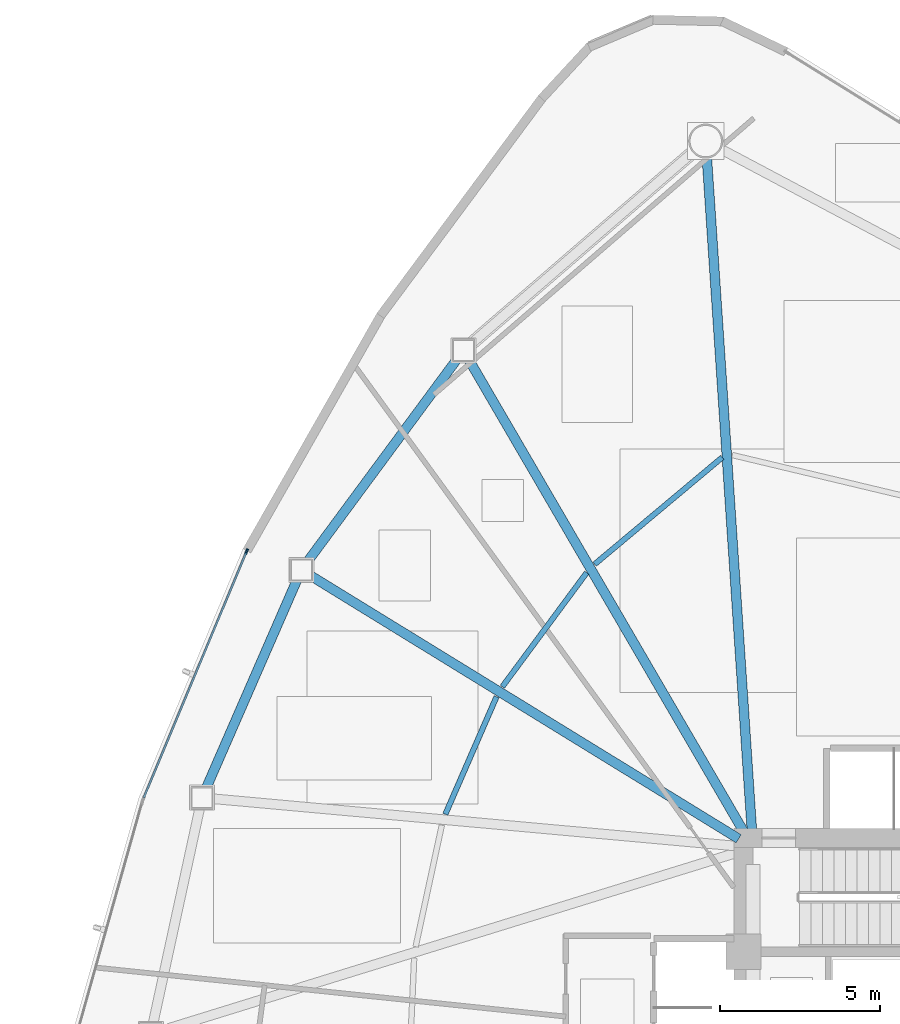
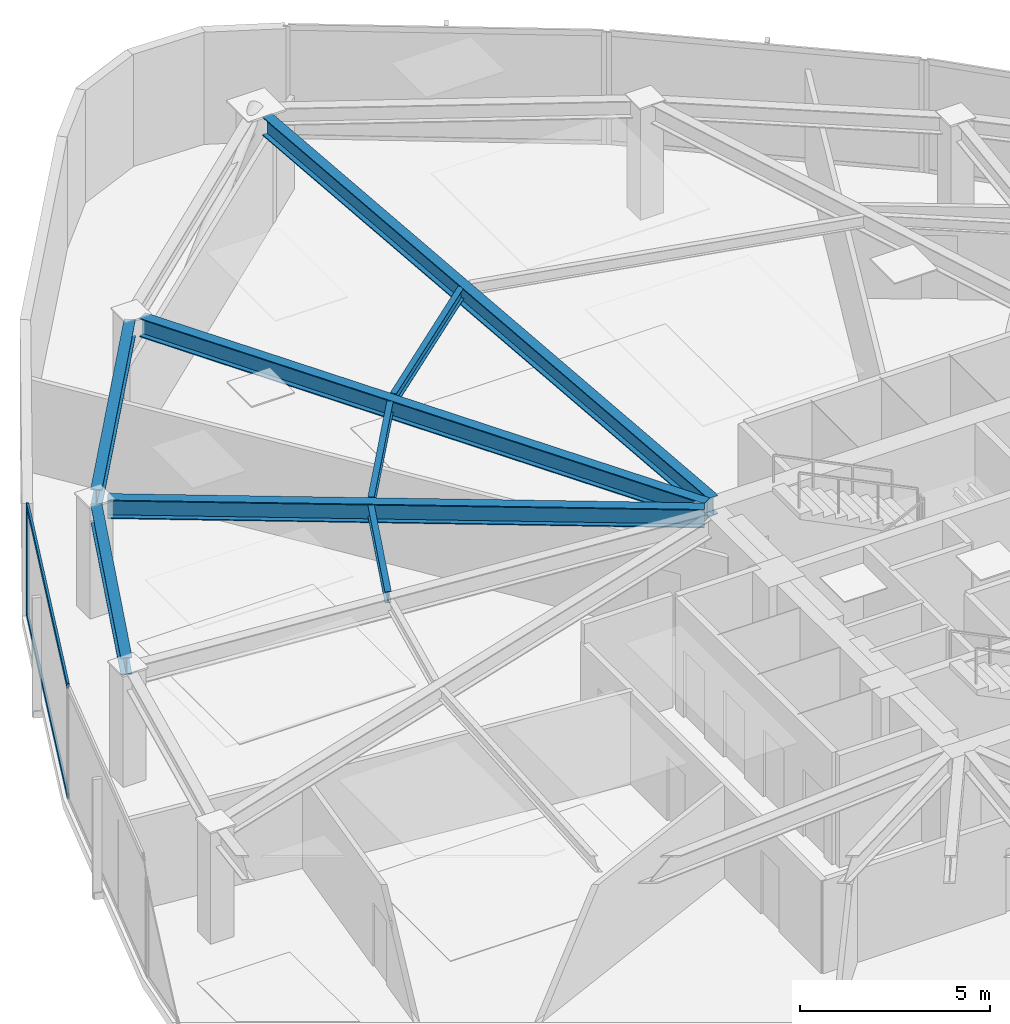
# One storey, part 7 of 17: 8 beams, 3 members, 1 element without a shape of its own.
"""IFC4 building model written with IfcOpenShell, lengths in metres."""

from ifc_helpers import new_model, si_unit, direction, frame, origin, origin_2d, place, context, subcontext, project, spatial, hollow_rectangle, i_section, extrude, source, transform, mapped, material, layer, layer_set, material_profile, profile_set, type_object, type_shapes, element, aggregate, save


model = new_model("IFC4")

# Units and contexts
model_context = context("Model", 3, precision=1e-05, world=origin(), true_north=direction((0.0, 1.0)))
body_context = subcontext(model_context, "Body", "Model", "MODEL_VIEW")
ifc_project = project(units=[si_unit("LENGTHUNIT", "METRE"), si_unit("AREAUNIT", "SQUARE_METRE"), si_unit("VOLUMEUNIT", "CUBIC_METRE"), si_unit("PLANEANGLEUNIT", "RADIAN"), si_unit("MASSUNIT", "GRAM", prefix="KILO")], contexts=[model_context])

# Site, building, storey
site_placement = place(None, origin())
site = spatial("IfcSite", under=ifc_project, at=site_placement, CompositionType="ELEMENT")
building_placement = place(site_placement, origin())
building = spatial("IfcBuilding", under=site, at=building_placement, Name="Tavelor Broadcast Tower", CompositionType="ELEMENT")
storey_placement = place(building_placement, frame((0.0, 0.0, 70.5)))
storey = spatial("IfcBuildingStorey", under=building, at=storey_placement, Name="L16", CompositionType="ELEMENT", Elevation=70.5)

# Beams
ifc_material_1 = material(Name="Steel S355", Category="steel")
ifc_material_profile_1 = material_profile(ifc_material_1, i_section(OverallWidth=0.169921875, OverallDepth=0.360107421875, WebThickness=0.008056640625, FlangeThickness=0.0126953125, at=origin_2d()), Name="IPE 360")
ifc_profile_set_1 = profile_set([ifc_material_profile_1], Name="Steel S355")
beam_type_1 = type_object("IfcBeamType", Name="Composite Floor Joist T2 IPE 360", PredefinedType="JOIST", material=ifc_profile_set_1)
beam_1_placement = place(storey_placement, frame((42.437744140625, 63.38671875, 3.419921875), z_axis=(-0.766764124222, -0.641928950746, 0.0), x_axis=(0.641928950746, -0.766764124222, 0.0)))
element("IfcBeam", 1, at=beam_1_placement, inside=storey, type_object=beam_type_1, Name="L16 Secondary Composite Floor Joist 01", PredefinedType="JOIST", context=body_context, shape_type="SweptSolid", body=[
    extrude(i_section(OverallWidth=0.169921875, OverallDepth=0.360107421875, WebThickness=0.008056640625, FlangeThickness=0.0126953125, at=origin_2d()), origin(), (0.0, 0.0, 1.0), 5.1982421875),
])
beam_2_placement = place(storey_placement, frame((38.20556640625, 59.7880859375, 3.419921875), z_axis=(-0.594699209794, -0.803948288057, 0.0), x_axis=(0.803948288057, -0.594699209794, 0.0)))
element("IfcBeam", 2, at=beam_2_placement, inside=storey, type_object=beam_type_1, Name="L16 Secondary Composite Floor Joist 02", PredefinedType="JOIST", context=body_context, shape_type="SweptSolid", body=[
    extrude(i_section(OverallWidth=0.169921875, OverallDepth=0.360107421875, WebThickness=0.008056640625, FlangeThickness=0.0126953125, at=origin_2d()), origin(), (0.0, 0.0, 1.0), 4.432373046875),
])
beam_3_placement = place(storey_placement, frame((35.3896484375, 55.9130859375, 3.419921875), z_axis=(-0.399446150725, -0.916756659464, 0.0), x_axis=(0.916756659464, -0.399446150725, 0.0)))
element("IfcBeam", 3, at=beam_3_placement, inside=storey, type_object=beam_type_1, Name="L16 Secondary Composite Floor Joist 03", PredefinedType="JOIST", context=body_context, shape_type="SweptSolid", body=[
    extrude(i_section(OverallWidth=0.169921875, OverallDepth=0.360107421875, WebThickness=0.008056640625, FlangeThickness=0.0126953125, at=origin_2d()), origin(), (0.0, 0.0, 1.0), 4.00390625),
])
ifc_material_profile_2 = material_profile(ifc_material_1, i_section(OverallWidth=0.300048828125, OverallDepth=0.550048828125, WebThickness=0.014892578125, FlangeThickness=0.029052734375, at=origin_2d()), Name="HEB 550")
ifc_profile_set_2 = profile_set([ifc_material_profile_2], Name="Steel S355")
beam_type_2 = type_object("IfcBeamType", Name="Perimeter Spandrel Beam T2 HEB 550", PredefinedType="SPANDREL", material=ifc_profile_set_2)
beam_4_placement = place(storey_placement, frame((34.156494140625, 66.45751953125, 3.324951171875), z_axis=(-0.59411824878, -0.804377713805, 0.0), x_axis=(0.804377713805, -0.59411824878, 0.0)))
element("IfcBeam", 4, at=beam_4_placement, inside=storey, type_object=beam_type_2, Name="L16 Framed-Tube Ring Spandrel 02", PredefinedType="SPANDREL", context=body_context, shape_type="SweptSolid", body=[
    extrude(i_section(OverallWidth=0.300048828125, OverallDepth=0.550048828125, WebThickness=0.014892578125, FlangeThickness=0.029052734375, at=origin_2d()), origin(), (0.0, 0.0, 1.0), 7.8515625),
])
beam_5_placement = place(storey_placement, frame((29.157958984375, 59.5634765625, 3.324951171875), z_axis=(-0.399859236649, -0.916576560287, 0.0), x_axis=(0.916576560287, -0.399859236649, 0.0)))
element("IfcBeam", 5, at=beam_5_placement, inside=storey, type_object=beam_type_2, Name="L16 Framed-Tube Ring Spandrel 03", PredefinedType="SPANDREL", context=body_context, shape_type="SweptSolid", body=[
    extrude(i_section(OverallWidth=0.300048828125, OverallDepth=0.550048828125, WebThickness=0.014892578125, FlangeThickness=0.029052734375, at=origin_2d()), origin(), (0.0, 0.0, 1.0), 7.088623046875),
])
ifc_material_profile_3 = material_profile(ifc_material_1, i_section(OverallWidth=0.300048828125, OverallDepth=0.60009765625, WebThickness=0.015380859375, FlangeThickness=0.030029296875, at=origin_2d()), Name="HEB 600")
ifc_profile_set_3 = profile_set([ifc_material_profile_3], Name="Steel S355")
beam_type_3 = type_object("IfcBeamType", Name="Radial Floor Girder T2 HEB 600", PredefinedType="BEAM", material=ifc_profile_set_3)
beam_6_placement = place(storey_placement, frame((43.36474609375, 51.726806640625, 3.300048828125), z_axis=(-0.066782727419, 0.997767541724, 0.0), x_axis=(-0.997767541724, -0.066782727419, 0.0)))
element("IfcBeam", 6, at=beam_6_placement, inside=storey, type_object=beam_type_3, Name="L16 Radial Primary Floor Girder 01", PredefinedType="BEAM", context=body_context, shape_type="SweptSolid", body=[
    extrude(i_section(OverallWidth=0.300048828125, OverallDepth=0.60009765625, WebThickness=0.015380859375, FlangeThickness=0.030029296875, at=origin_2d()), origin(), (0.0, 0.0, 1.0), 21.075439453125),
])
beam_7_placement = place(storey_placement, frame((43.13427734375, 51.65625, 3.300048828125), z_axis=(-0.503292320279, 0.864116219237, 0.0), x_axis=(-0.864116219237, -0.503292320279, 0.0)))
element("IfcBeam", 7, at=beam_7_placement, inside=storey, type_object=beam_type_3, Name="L16 Radial Primary Floor Girder 02", PredefinedType="BEAM", context=body_context, shape_type="SweptSolid", body=[
    extrude(i_section(OverallWidth=0.300048828125, OverallDepth=0.60009765625, WebThickness=0.015380859375, FlangeThickness=0.030029296875, at=origin_2d()), origin(), (0.0, 0.0, 1.0), 17.105712890625),
])
beam_8_placement = place(storey_placement, frame((42.9501953125, 51.4765625, 3.300048828125), z_axis=(-0.851937509834, 0.523643465859, 0.0), x_axis=(-0.523643465859, -0.851937509834, 0.0)))
element("IfcBeam", 8, at=beam_8_placement, inside=storey, type_object=beam_type_3, Name="L16 Radial Primary Floor Girder 03", PredefinedType="BEAM", context=body_context, shape_type="SweptSolid", body=[
    extrude(i_section(OverallWidth=0.300048828125, OverallDepth=0.60009765625, WebThickness=0.015380859375, FlangeThickness=0.030029296875, at=origin_2d()), origin(), (0.0, 0.0, 1.0), 15.69580078125),
])

# Curtain wall, members
ifc_material_2 = material(Name="Architectural Anodized Aluminium", Category="aluminium")
ifc_layer = layer(ifc_material_2, 0.179931640625)
ifc_layer_set = layer_set([ifc_layer], Name="Architectural Anodized Aluminium")
curtain_wall_type = type_object("IfcCurtainWallType", Name="Tower Low-Zone Unitised Curtain Wall CW02", PredefinedType="NOTDEFINED", material=ifc_layer_set)
curtain_wall_placement = place(storey_placement, origin())
curtain_wall = element("IfcCurtainWall", 9, at=curtain_wall_placement, inside=storey, type_object=curtain_wall_type, Name="L16 Curtain Wall CW02 Run 145", PredefinedType="NOTDEFINED")
ifc_material_profile_4 = material_profile(ifc_material_2, hollow_rectangle(XDim=0.06494140625, YDim=0.179931640625, WallThickness=0.02197265625, at=origin_2d()), Name="RHS 65x180x22")
ifc_profile_set_4 = profile_set([ifc_material_profile_4], Name="Architectural Anodized Aluminium")
member_type_1 = type_object("IfcMemberType", Name="CW02 Extruded Aluminium Mullion 65x180", PredefinedType="MULLION", material=ifc_profile_set_4)
shared_shape_1 = source(origin(), body_context, "Body", "SweptSolid", [
    extrude(hollow_rectangle(XDim=0.06494140625, YDim=0.179931640625, WallThickness=0.02197265625, at=origin_2d()), origin(), (0.0, 0.0, 1.0), 3.60009765625),
])
type_shapes(member_type_1, [shared_shape_1])
member_1_placement = place(storey_placement, frame((27.583984375, 60.447998046875, 0.0), z_axis=(0.0, 0.0, 1.0), x_axis=(0.922706747072, -0.385502605579, 0.0)))
member_1 = element("IfcMember", 10, at=member_1_placement, type_object=member_type_1, Name="CW02 mullion 1", PredefinedType="MULLION", context=body_context, shape_type="MappedRepresentation", body=[
    mapped(shared_shape_1, transform((0.0, 0.0, 0.0), scale=1.0)),
])
ifc_material_profile_5 = material_profile(ifc_material_2, hollow_rectangle(XDim=0.06494140625, YDim=0.179931640625, WallThickness=0.02197265625, at=origin_2d()), Name="RHS 65x180x22")
ifc_profile_set_5 = profile_set([ifc_material_profile_5], Name="Architectural Anodized Aluminium")
member_type_2 = type_object("IfcMemberType", Name="CW02 Extruded Aluminium Transom 65x180", PredefinedType="USERDEFINED", material=ifc_profile_set_5)
shared_shape_2 = source(origin(), body_context, "Body", "SweptSolid", [
    extrude(hollow_rectangle(XDim=0.06494140625, YDim=0.179931640625, WallThickness=0.02197265625, at=origin_2d()), origin(), (0.0, 0.0, 1.0), 8.3037109375),
])
type_shapes(member_type_2, [shared_shape_2])
member_2_placement = place(storey_placement, frame((27.571533203125, 60.41796875, 0.032470703125), z_axis=(-0.385510814664, -0.922703317311, 0.0), x_axis=(0.922703317311, -0.385510814664, 0.0)))
member_2 = element("IfcMember", 11, at=member_2_placement, type_object=member_type_2, Name="CW02 transom 1.1", ObjectType="TRANSOM", PredefinedType="USERDEFINED", context=body_context, shape_type="MappedRepresentation", body=[
    mapped(shared_shape_2, transform((0.0, 0.0, 0.0), scale=1.0)),
])
member_3_placement = place(storey_placement, frame((27.571533203125, 60.41796875, 3.5673828125), z_axis=(-0.385510814664, -0.922703317311, 0.0), x_axis=(0.922703317311, -0.385510814664, 0.0)))
member_3 = element("IfcMember", 12, at=member_3_placement, type_object=member_type_2, Name="CW02 transom 1.2", ObjectType="TRANSOM", PredefinedType="USERDEFINED", context=body_context, shape_type="MappedRepresentation", body=[
    mapped(shared_shape_2, transform((0.0, 0.0, 0.0), scale=1.0)),
])
aggregate(curtain_wall, [member_1, member_2, member_3])

save(model, "model.ifc")
